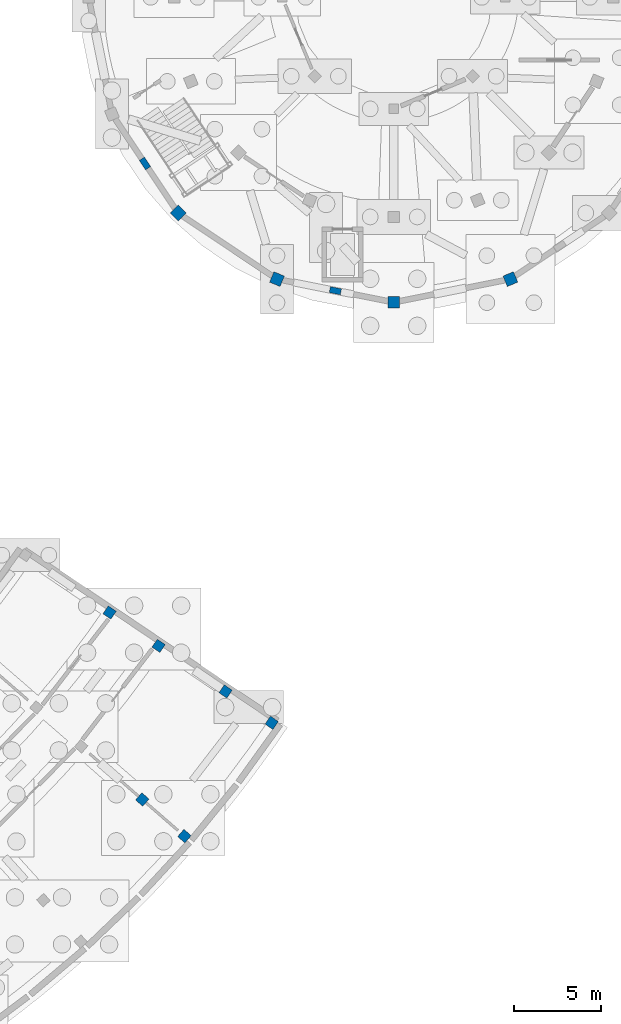
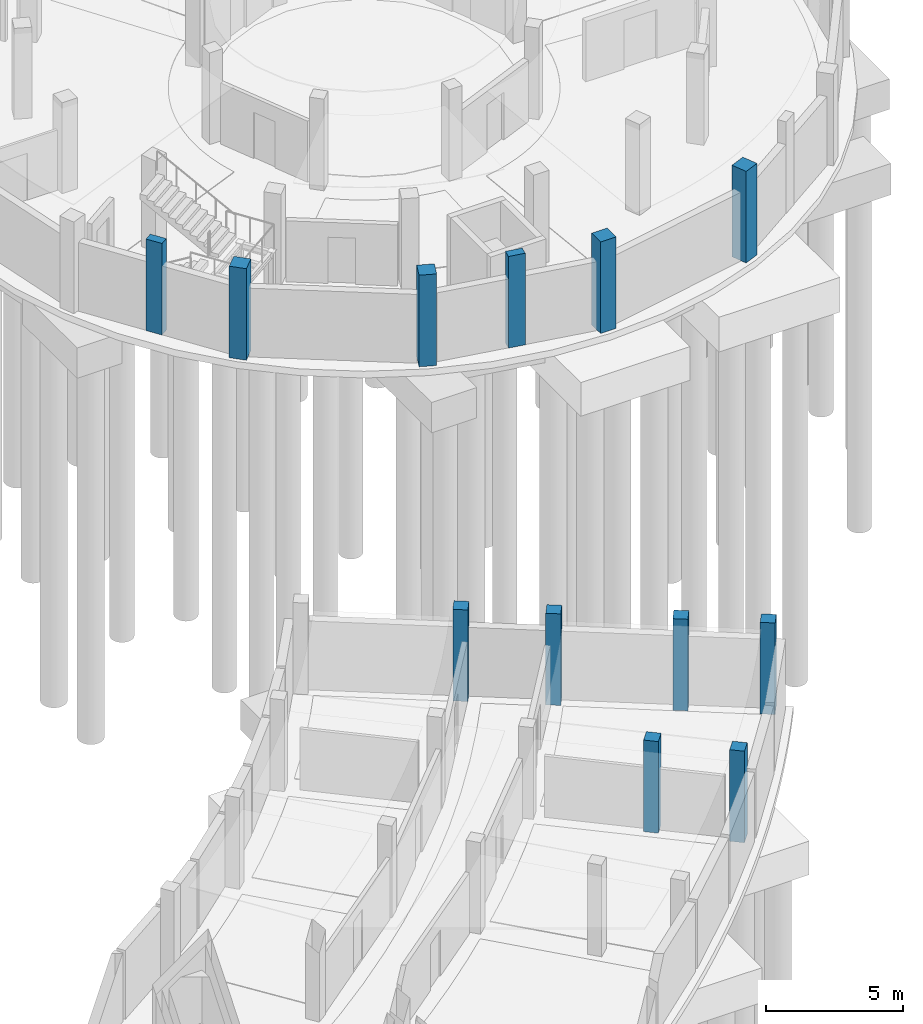
# One storey, part 28 of 58: 12 columns.
"""IFC4 building model written with IfcOpenShell, lengths in metres."""

from ifc_helpers import new_model, si_unit, direction, frame, origin, origin_2d, place, context, subcontext, project, spatial, rectangle, extrude, material, material_profile, profile_set, type_object, element, save


model = new_model("IFC4")

# Units and contexts
model_context = context("Model", 3, precision=1e-05, world=origin(), true_north=direction((0.0, 1.0)))
body_context = subcontext(model_context, "Body", "Model", "MODEL_VIEW")
ifc_project = project(units=[si_unit("LENGTHUNIT", "METRE"), si_unit("AREAUNIT", "SQUARE_METRE"), si_unit("VOLUMEUNIT", "CUBIC_METRE"), si_unit("PLANEANGLEUNIT", "RADIAN"), si_unit("MASSUNIT", "GRAM", prefix="KILO")], contexts=[model_context])

# Site, building, storey
site_placement = place(None, origin())
site = spatial("IfcSite", under=ifc_project, at=site_placement, CompositionType="ELEMENT")
building_placement = place(site_placement, origin())
building = spatial("IfcBuilding", under=site, at=building_placement, Name="Caldaven Crescent School", CompositionType="ELEMENT")
storey_placement = place(building_placement, frame((0.0, 0.0, -4.080078125)))
storey = spatial("IfcBuildingStorey", under=building, at=storey_placement, Name="B1", CompositionType="ELEMENT", Elevation=-4.080078125)

# Columns
ifc_material_1 = material(Name="Concrete C35/45", Category="concrete")
ifc_material_profile_1 = material_profile(ifc_material_1, rectangle(XDim=0.550048828125, YDim=0.550048828125, at=origin_2d()), Name="RC 550x550")
ifc_profile_set_1 = profile_set([ifc_material_profile_1], Name="Concrete C35/45")
column_type_1 = type_object("IfcColumnType", Name="COL-RC55", PredefinedType="COLUMN", material=ifc_profile_set_1)
for number, where, z_axis, x_axis, name in (
    (1, (138.074951171875, 52.470458984375, 0.0), (0.0, 0.0, 1.0), (0.754709580223, -0.656059028991, 0.0), "COL-V4E-B1-04-3"),
    (2, (140.489990234375, 50.37109375, 0.0), (0.0, 0.0, 1.0), (0.754709580223, -0.656059028991, 0.0), "COL-V4E-B1-04-4"),
    (3, (136.198974609375, 63.201171875, 0.0), (0.0, 0.0, 1.0), (0.826786154745, -0.562516359159, 0.0), "COL-V4E-B1-05-1"),
    (4, (139.009765625, 61.288330078125, 0.0), (0.0, 0.0, 1.0), (0.826786154745, -0.562516359159, 0.0), "COL-V4E-B1-05-2"),
    (5, (142.85400390625, 58.67236328125, 0.0), (0.0, 0.0, 1.0), (0.826786154745, -0.562516359159, 0.0), "COL-V4E-B1-05-3"),
    (6, (145.499755859375, 56.8720703125, 0.0), (0.0, 0.0, 1.0), (0.826786154745, -0.562516359159, 0.0), "COL-V4E-B1-05-4"),
):
    element("IfcColumn", number, at=place(storey_placement, frame(where, z_axis=z_axis, x_axis=x_axis)), inside=storey, type_object=column_type_1, Name=name, PredefinedType="COLUMN", context=body_context, shape_type="SweptSolid", body=[
        extrude(rectangle(XDim=0.550048828125, YDim=0.550048828125, at=origin_2d()), origin(), (0.0, 0.0, 1.0), 4.080078125),
    ])
ifc_material_profile_2 = material_profile(ifc_material_1, rectangle(XDim=0.64990234375, YDim=0.64990234375, at=origin_2d()), Name="RC 650x650")
ifc_profile_set_2 = profile_set([ifc_material_profile_2], Name="Concrete C35/45")
column_type_2 = type_object("IfcColumnType", Name="COL-RC65", PredefinedType="COLUMN", material=ifc_profile_set_2)
for number, where, z_axis, x_axis, name in (
    (7, (140.125732421875, 86.125732421875, 0.0), (0.0, 0.0, 1.0), (-0.707106781187, -0.707106781187, 0.0), "COL-V1-B1-OUT-10"),
    (8, (145.802978515625, 82.33203125, 0.0), (0.0, 0.0, 1.0), (-0.382683432365, -0.923879532511, 0.0), "COL-V1-B1-OUT-11"),
    (9, (152.5, 81.0, 0.0), (0.0, 0.0, 1.0), (0.0, -1.0, 0.0), "COL-V1-B1-OUT-12"),
    (10, (159.197021484375, 82.33203125, 0.0), (0.0, 0.0, 1.0), (0.382683432365, -0.923879532511, 0.0), "COL-V1-B1-OUT-13"),
):
    element("IfcColumn", number, at=place(storey_placement, frame(where, z_axis=z_axis, x_axis=x_axis)), inside=storey, type_object=column_type_2, Name=name, PredefinedType="COLUMN", context=body_context, shape_type="SweptSolid", body=[
        extrude(rectangle(XDim=0.64990234375, YDim=0.64990234375, at=origin_2d()), origin(), (0.0, 0.0, 1.0), 4.080078125),
    ])
ifc_material_2 = material(Name="Concrete C30/37", Category="concrete")
ifc_material_profile_3 = material_profile(ifc_material_2, rectangle(XDim=0.35009765625, YDim=0.64990234375, at=origin_2d()), Name="RC 350x650")
ifc_profile_set_3 = profile_set([ifc_material_profile_3], Name="Concrete C30/37")
column_type_3 = type_object("IfcColumnType", Name="PIL-RC35", PredefinedType="PILASTER", material=ifc_profile_set_3)
for number, where, z_axis, x_axis, name in (
    (11, (138.228759765625, 88.96435546875, 0.0), (0.0, 0.0, 1.0), (-0.831469612303, -0.55557023302, 0.0), "PIL-V1-B1-04"),
    (12, (149.151611328125, 81.666015625, 0.0), (0.0, 0.0, 1.0), (-0.195090322016, -0.980785280403, 0.0), "PIL-V1-B1-05"),
):
    element("IfcColumn", number, at=place(storey_placement, frame(where, z_axis=z_axis, x_axis=x_axis)), inside=storey, type_object=column_type_3, Name=name, PredefinedType="PILASTER", context=body_context, shape_type="SweptSolid", body=[
        extrude(rectangle(XDim=0.35009765625, YDim=0.64990234375, at=origin_2d()), origin(), (0.0, 0.0, 1.0), 4.080078125),
    ])

save(model, "model.ifc")
